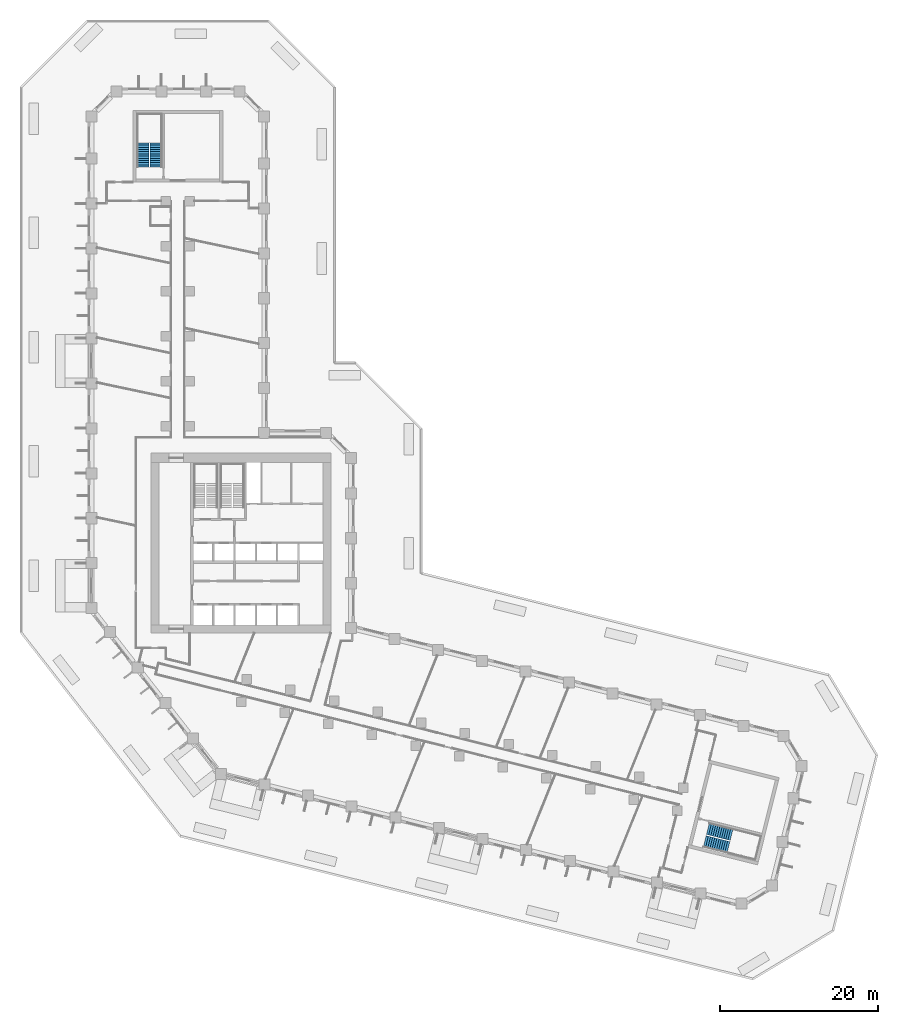
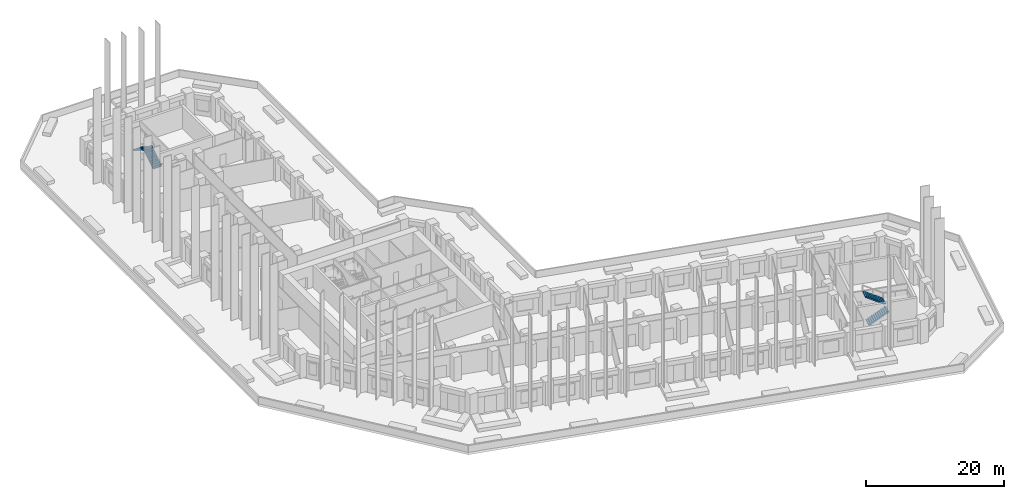
# One storey, part 12 of 13: 4 stair flights, 2 elements without a shape of their own.
"""IFC4 building model written with IfcOpenShell, lengths in metres."""

from ifc_helpers import new_model, si_unit, direction, frame, origin, place, context, subcontext, project, spatial, polyline, outline, extrude, material, type_object, element, aggregate, save


model = new_model("IFC4")

# Units and contexts
model_context = context("Model", 3, precision=1e-05, world=origin(), true_north=direction((0.0, 1.0)))
body_context = subcontext(model_context, "Body", "Model", "MODEL_VIEW")
ifc_project = project(units=[si_unit("LENGTHUNIT", "METRE"), si_unit("AREAUNIT", "SQUARE_METRE"), si_unit("VOLUMEUNIT", "CUBIC_METRE"), si_unit("PLANEANGLEUNIT", "RADIAN"), si_unit("MASSUNIT", "GRAM", prefix="KILO")], contexts=[model_context])

# Site, building, storey
site_placement = place(None, origin())
site = spatial("IfcSite", under=ifc_project, at=site_placement, CompositionType="ELEMENT")
building_placement = place(site_placement, origin())
building = spatial("IfcBuilding", under=site, at=building_placement, Name="Meshkara Civic Tower", CompositionType="ELEMENT")
storey_placement = place(building_placement, frame((0.0, 0.0, 33.0)))
storey = spatial("IfcBuildingStorey", under=building, at=storey_placement, Name="L06", CompositionType="ELEMENT", Elevation=33.0)

# Stair, stair flights
ifc_material_1 = material(Name="Precast concrete C40/50", Category="concrete")
stair_type = type_object("IfcStairType", Name="Exit stair half-turn 24 risers 1500 precast", PredefinedType="HALF_TURN_STAIR", material=ifc_material_1)
stair_1_placement = place(storey_placement, origin())
stair_1 = element("IfcStair", 1, at=stair_1_placement, inside=storey, type_object=stair_type, Name="L06 exit stair A from B2", PredefinedType="HALF_TURN_STAIR")
ifc_material_2 = material(Name="Precast concrete C40/50", Category="concrete")
stair_flight_type = type_object("IfcStairFlightType", Name="Exit stair flight 12 risers 1500 precast", PredefinedType="STRAIGHT", material=ifc_material_2)
stair_flight_1_placement = place(storey_placement, frame((8.625, 73.169921875, 0.0), z_axis=(0.0, 0.0, 1.0), x_axis=(0.0, 1.0, 0.0)))
stair_flight_1 = element("IfcStairFlight", 2, at=stair_flight_1_placement, type_object=stair_flight_type, Name="ESA1 flight 1", NumberOfRisers=12, NumberOfTreads=11, PredefinedType="STRAIGHT", RiserHeight=0.175, TreadLength=0.28, context=body_context, shape_type="SweptSolid", body=[
    extrude(outline(polyline([(0.0, 0.0), (0.0, 0.175048828125), (0.280029296875, 0.175048828125), (0.280029296875, 0.35009765625), (0.56005859375, 0.35009765625), (0.56005859375, 0.52490234375), (0.840087890625, 0.52490234375), (0.840087890625, 0.699951171875), (1.1201171875, 0.699951171875), (1.1201171875, 0.875), (1.39990234375, 0.875), (1.39990234375, 1.050048828125), (1.679931640625, 1.050048828125), (1.679931640625, 1.22509765625), (1.9599609375, 1.22509765625), (1.9599609375, 1.39990234375), (2.239990234375, 1.39990234375), (2.239990234375, 1.574951171875), (2.52001953125, 1.574951171875), (2.52001953125, 1.75), (2.800048828125, 1.75), (2.800048828125, 1.925048828125), (3.080078125, 1.925048828125), (3.080078125, 2.10009765625), (3.080078125, 1.748291015625), (0.28271484375, 0.0), (0.0, 0.0)])), frame((0.0, 0.75, 0.0), z_axis=(0.0, -1.0, 0.0), x_axis=(1.0, 0.0, 0.0)), (0.0, 0.0, 1.0), 1.5),
])
stair_flight_2_placement = place(storey_placement, frame((6.97509765625, 76.25, 2.10009765625), z_axis=(0.0, 0.0, 1.0), x_axis=(0.0, -1.0, 0.0)))
stair_flight_2 = element("IfcStairFlight", 3, at=stair_flight_2_placement, type_object=stair_flight_type, Name="ESA1 flight 2", NumberOfRisers=12, NumberOfTreads=11, PredefinedType="STRAIGHT", RiserHeight=0.175, TreadLength=0.28, context=body_context, shape_type="SweptSolid", body=[
    extrude(outline(polyline([(0.0, 0.0), (0.0, 0.175048828125), (0.280029296875, 0.175048828125), (0.280029296875, 0.35009765625), (0.56005859375, 0.35009765625), (0.56005859375, 0.52490234375), (0.840087890625, 0.52490234375), (0.840087890625, 0.699951171875), (1.1201171875, 0.699951171875), (1.1201171875, 0.875), (1.39990234375, 0.875), (1.39990234375, 1.050048828125), (1.679931640625, 1.050048828125), (1.679931640625, 1.22509765625), (1.9599609375, 1.22509765625), (1.9599609375, 1.39990234375), (2.239990234375, 1.39990234375), (2.239990234375, 1.574951171875), (2.52001953125, 1.574951171875), (2.52001953125, 1.75), (2.800048828125, 1.75), (2.800048828125, 1.925048828125), (3.080078125, 1.925048828125), (3.080078125, 2.10009765625), (3.080078125, 1.748291015625), (0.28271484375, 0.0), (0.0, 0.0)])), frame((0.0, 0.75, 0.0), z_axis=(0.0, -1.0, 0.0), x_axis=(1.0, 0.0, 0.0)), (0.0, 0.0, 1.0), 1.5),
])
aggregate(stair_1, [stair_flight_1, stair_flight_2])

stair_2_placement = place(storey_placement, origin())
stair_2 = element("IfcStair", 4, at=stair_2_placement, inside=storey, type_object=stair_type, Name="L06 exit stair B from B2", PredefinedType="HALF_TURN_STAIR")
stair_flight_3_placement = place(storey_placement, frame((78.214599609375, -12.3125, 0.0), z_axis=(0.0, 0.0, 1.0), x_axis=(0.970260066579, -0.242064873955, 0.0)))
stair_flight_3 = element("IfcStairFlight", 5, at=stair_flight_3_placement, type_object=stair_flight_type, Name="ESB1 flight 1", NumberOfRisers=12, NumberOfTreads=11, PredefinedType="STRAIGHT", RiserHeight=0.175, TreadLength=0.28, context=body_context, shape_type="SweptSolid", body=[
    extrude(outline(polyline([(0.0, 0.0), (0.0, 0.175048828125), (0.280029296875, 0.175048828125), (0.280029296875, 0.35009765625), (0.56005859375, 0.35009765625), (0.56005859375, 0.52490234375), (0.840087890625, 0.52490234375), (0.840087890625, 0.699951171875), (1.1201171875, 0.699951171875), (1.1201171875, 0.875), (1.39990234375, 0.875), (1.39990234375, 1.050048828125), (1.679931640625, 1.050048828125), (1.679931640625, 1.22509765625), (1.9599609375, 1.22509765625), (1.9599609375, 1.39990234375), (2.239990234375, 1.39990234375), (2.239990234375, 1.574951171875), (2.52001953125, 1.574951171875), (2.52001953125, 1.75), (2.800048828125, 1.75), (2.800048828125, 1.925048828125), (3.080078125, 1.925048828125), (3.080078125, 2.10009765625), (3.080078125, 1.748291015625), (0.28271484375, 0.0), (0.0, 0.0)])), frame((0.0, 0.75, 0.0), z_axis=(0.0, -1.0, 0.0), x_axis=(1.0, 0.0, 0.0)), (0.0, 0.0, 1.0), 1.5),
])
stair_flight_4_placement = place(storey_placement, frame((81.6025390625, -11.457275390625, 2.10009765625), z_axis=(0.0, 0.0, 1.0), x_axis=(-0.970260066579, 0.242064873955, 0.0)))
stair_flight_4 = element("IfcStairFlight", 6, at=stair_flight_4_placement, type_object=stair_flight_type, Name="ESB1 flight 2", NumberOfRisers=12, NumberOfTreads=11, PredefinedType="STRAIGHT", RiserHeight=0.175, TreadLength=0.28, context=body_context, shape_type="SweptSolid", body=[
    extrude(outline(polyline([(0.0, 0.0), (0.0, 0.175048828125), (0.280029296875, 0.175048828125), (0.280029296875, 0.35009765625), (0.56005859375, 0.35009765625), (0.56005859375, 0.52490234375), (0.840087890625, 0.52490234375), (0.840087890625, 0.699951171875), (1.1201171875, 0.699951171875), (1.1201171875, 0.875), (1.39990234375, 0.875), (1.39990234375, 1.050048828125), (1.679931640625, 1.050048828125), (1.679931640625, 1.22509765625), (1.9599609375, 1.22509765625), (1.9599609375, 1.39990234375), (2.239990234375, 1.39990234375), (2.239990234375, 1.574951171875), (2.52001953125, 1.574951171875), (2.52001953125, 1.75), (2.800048828125, 1.75), (2.800048828125, 1.925048828125), (3.080078125, 1.925048828125), (3.080078125, 2.10009765625), (3.080078125, 1.748291015625), (0.28271484375, 0.0), (0.0, 0.0)])), frame((0.0, 0.75, 0.0), z_axis=(0.0, -1.0, 0.0), x_axis=(1.0, 0.0, 0.0)), (0.0, 0.0, 1.0), 1.5),
])
aggregate(stair_2, [stair_flight_3, stair_flight_4])

save(model, "model.ifc")
